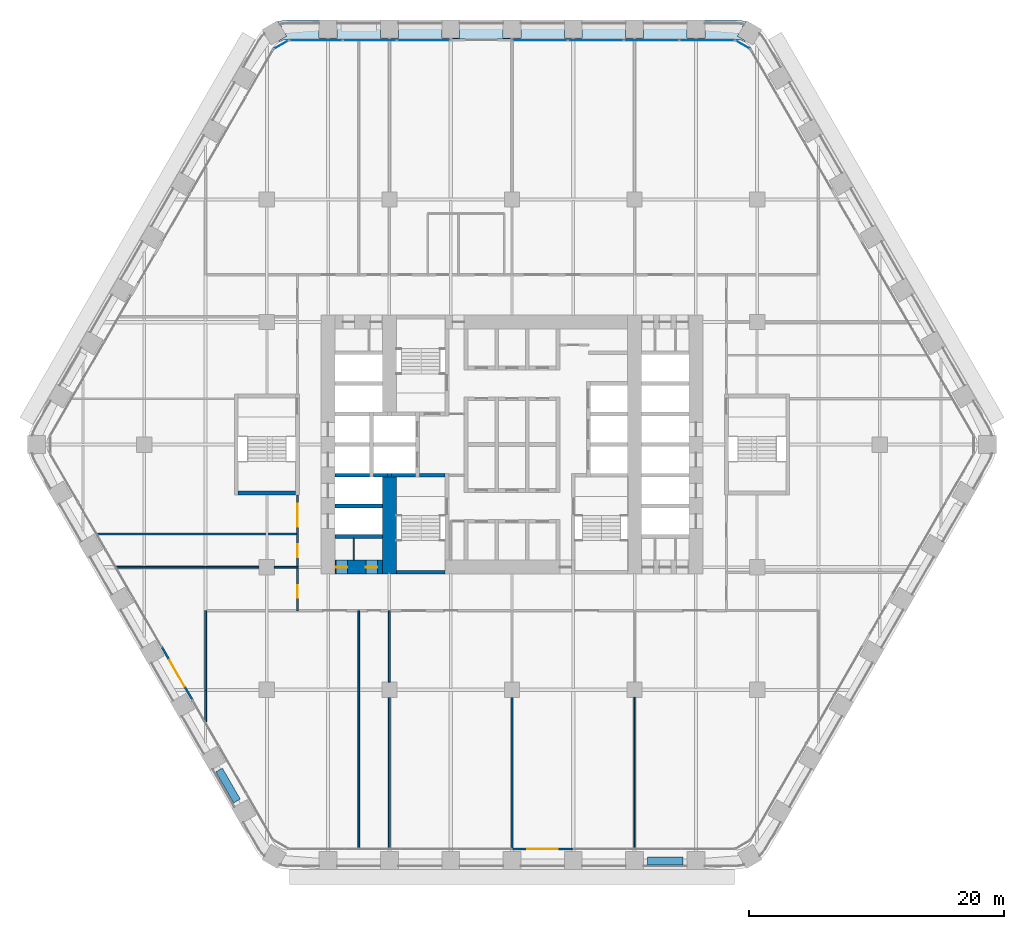
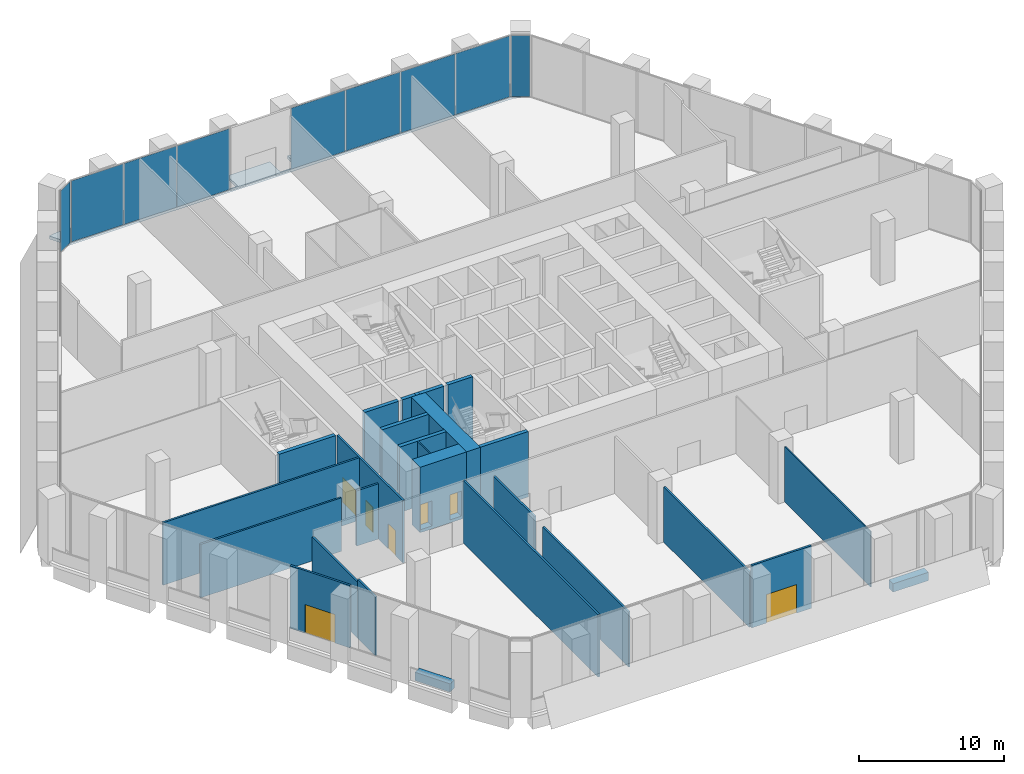
# One storey, part 17 of 27: 27 walls, 9 plates, 7 doors, 1 slab, 7 openings, 4 elements without a shape of their own.
"""IFC4 building model written with IfcOpenShell, lengths in metres."""

from ifc_helpers import new_model, si_unit, direction, frame, frame_2d, origin, origin_2d, place, context, subcontext, project, spatial, polyline, rectangle, outline, extrude, material, layer, layer_set, type_object, element, fill, aggregate, save


model = new_model("IFC4")

# Units and contexts
model_context = context("Model", 3, precision=1e-05, world=origin(), true_north=direction((0.0, 1.0)))
body_context = subcontext(model_context, "Body", "Model", "MODEL_VIEW")
ifc_project = project(units=[si_unit("LENGTHUNIT", "METRE"), si_unit("AREAUNIT", "SQUARE_METRE"), si_unit("VOLUMEUNIT", "CUBIC_METRE"), si_unit("PLANEANGLEUNIT", "RADIAN"), si_unit("MASSUNIT", "GRAM", prefix="KILO")], contexts=[model_context])

# Site, building, storey
site_placement = place(None, origin())
site = spatial("IfcSite", under=ifc_project, at=site_placement, CompositionType="ELEMENT")
building_placement = place(site_placement, origin())
building = spatial("IfcBuilding", under=site, at=building_placement, Name="Kolab Exchange Tower", CompositionType="ELEMENT")
storey_placement = place(building_placement, frame((0.0, 0.0, 49.89990234375)))
storey = spatial("IfcBuildingStorey", under=building, at=storey_placement, Name="L09", CompositionType="ELEMENT", Elevation=49.89990234375)

# Slab
ifc_material_1 = material(Name="Concrete C35/45", Category="concrete")
ifc_layer_1 = layer(ifc_material_1, 0.25)
ifc_layer_set_1 = layer_set([ifc_layer_1], Name="Concrete C35/45")
slab_type = type_object("IfcSlabType", Name="LOGGIA SLAB 250", PredefinedType="FLOOR", material=ifc_layer_set_1)
slab_placement = place(storey_placement, frame((0.0, 0.0, -0.25)))
element("IfcSlab", 1, at=slab_placement, inside=storey, type_object=slab_type, Name="slab/L09/loggia/0-0", PredefinedType="FLOOR", context=body_context, shape_type="SweptSolid", body=[
    extrude(outline(polyline([(18.218017578125, 31.554443359375), (18.26806640625, 31.64111328125), (17.66162109375, 31.990966796875), (18.31494140625, 33.122314453125), (17.989013671875, 33.209716796875), (17.468017578125, 33.25537109375), (15.10009765625, 33.25537109375), (15.10009765625, 31.85546875), (13.699951171875, 31.85546875), (13.699951171875, 33.25537109375), (10.300048828125, 33.25537109375), (10.300048828125, 31.85546875), (8.89990234375, 31.85546875), (8.89990234375, 33.25537109375), (5.5, 33.25537109375), (5.5, 31.85546875), (4.10009765625, 31.85546875), (4.10009765625, 33.25537109375), (0.699951171875, 33.25537109375), (0.699951171875, 31.85546875), (-0.699951171875, 31.85546875), (-0.699951171875, 33.25537109375), (-4.10009765625, 33.25537109375), (-4.10009765625, 31.85546875), (-5.5, 31.85546875), (-5.5, 33.25537109375), (-8.89990234375, 33.25537109375), (-8.89990234375, 31.85546875), (-10.300048828125, 31.85546875), (-10.300048828125, 33.25537109375), (-13.699951171875, 33.25537109375), (-13.699951171875, 31.85546875), (-15.10009765625, 31.85546875), (-15.10009765625, 33.25537109375), (-17.468017578125, 33.25537109375), (-17.989013671875, 33.209716796875), (-18.31494140625, 33.122314453125), (-17.66162109375, 31.990966796875), (-18.26806640625, 31.64111328125), (-18.218017578125, 31.554443359375), (-17.98095703125, 31.664794921875), (-17.728515625, 31.732666015625), (-17.468017578125, 31.75537109375), (17.468017578125, 31.75537109375), (17.728515625, 31.732666015625), (17.98095703125, 31.664794921875), (18.218017578125, 31.554443359375)])), origin(), (0.0, 0.0, 1.0), 0.25),
])

# Curtain wall, plates
ifc_material_2 = material(Name="Aluminium EN AW-6063 T6", Category="aluminium")
curtain_wall_type = type_object("IfcCurtainWallType", Name="UNITISED LOW ZONE CURTAIN WALL", PredefinedType="NOTDEFINED", material=ifc_material_2)
curtain_wall_1_placement = place(storey_placement, origin())
curtain_wall_1 = element("IfcCurtainWall", 2, at=curtain_wall_1_placement, inside=storey, type_object=curtain_wall_type, Name="cw/L09/F1-1", PredefinedType="NOTDEFINED")
ifc_material_3 = material(Name="Clear insulated glazing unit", Category="glass")
ifc_layer_2 = layer(ifc_material_3, 0.02392578125)
ifc_layer_set_2 = layer_set([ifc_layer_2], Name="Clear insulated glazing unit")
plate_type = type_object("IfcPlateType", Name="UNITISED LOW ZONE GLASS PANEL 24", PredefinedType="CURTAIN_PANEL", material=ifc_layer_set_2)
plate_1_placement = place(storey_placement, frame((-15.341552734375, 31.67529296875, 0.06005859375), z_axis=(0.0, 0.0, 1.0), x_axis=(1.0, 0.0, 0.0)))
plate_1 = element("IfcPlate", 3, at=plate_1_placement, type_object=plate_type, Name="CW1 panel 1.1", PredefinedType="CURTAIN_PANEL", context=body_context, shape_type="SweptSolid", body=[
    extrude(rectangle(XDim=4.132568359375, YDim=0.02392578125, at=origin_2d()), origin(), (0.0, 0.0, 1.0), 5.1298828125),
])
plate_2_placement = place(storey_placement, frame((-11.134033203125, 31.67529296875, 0.06005859375), z_axis=(0.0, 0.0, 1.0), x_axis=(1.0, 0.0, 0.0)))
plate_2 = element("IfcPlate", 4, at=plate_2_placement, type_object=plate_type, Name="CW1 panel 2.1", PredefinedType="CURTAIN_PANEL", context=body_context, shape_type="SweptSolid", body=[
    extrude(rectangle(XDim=4.16259765625, YDim=0.02392578125, at=origin_2d()), origin(), (0.0, 0.0, 1.0), 5.1298828125),
])
plate_3_placement = place(storey_placement, frame((-6.92626953125, 31.67529296875, 0.06005859375), z_axis=(0.0, 0.0, 1.0), x_axis=(1.0, 0.0, 0.0)))
plate_3 = element("IfcPlate", 5, at=plate_3_placement, type_object=plate_type, Name="CW1 panel 3.1", PredefinedType="CURTAIN_PANEL", context=body_context, shape_type="SweptSolid", body=[
    extrude(rectangle(XDim=4.132568359375, YDim=0.02392578125, at=origin_2d()), origin(), (0.0, 0.0, 1.0), 5.1298828125),
])
aggregate(curtain_wall_1, [plate_1, plate_2, plate_3])

curtain_wall_2_placement = place(storey_placement, origin())
curtain_wall_2 = element("IfcCurtainWall", 6, at=curtain_wall_2_placement, inside=storey, type_object=curtain_wall_type, Name="cw/L09/F1-2", PredefinedType="NOTDEFINED")
plate_4_placement = place(storey_placement, frame((2.198486328125, 31.67529296875, 0.06005859375), z_axis=(0.0, 0.0, 1.0), x_axis=(1.0, 0.0, 0.0)))
plate_4 = element("IfcPlate", 7, at=plate_4_placement, type_object=plate_type, Name="CW1 panel 1.1", PredefinedType="CURTAIN_PANEL", context=body_context, shape_type="SweptSolid", body=[
    extrude(rectangle(XDim=4.277099609375, YDim=0.02392578125, at=origin_2d()), origin(), (0.0, 0.0, 1.0), 5.1298828125),
])
plate_5_placement = place(storey_placement, frame((6.550537109375, 31.67529296875, 0.06005859375), z_axis=(0.0, 0.0, 1.0), x_axis=(1.0, 0.0, 0.0)))
plate_5 = element("IfcPlate", 8, at=plate_5_placement, type_object=plate_type, Name="CW1 panel 2.1", PredefinedType="CURTAIN_PANEL", context=body_context, shape_type="SweptSolid", body=[
    extrude(rectangle(XDim=4.306884765625, YDim=0.02392578125, at=origin_2d()), origin(), (0.0, 0.0, 1.0), 5.1298828125),
])
plate_6_placement = place(storey_placement, frame((10.91748046875, 31.67529296875, 0.06005859375), z_axis=(0.0, 0.0, 1.0), x_axis=(1.0, 0.0, 0.0)))
plate_6 = element("IfcPlate", 9, at=plate_6_placement, type_object=plate_type, Name="CW1 panel 3.1", PredefinedType="CURTAIN_PANEL", context=body_context, shape_type="SweptSolid", body=[
    extrude(rectangle(XDim=4.306884765625, YDim=0.02392578125, at=origin_2d()), origin(), (0.0, 0.0, 1.0), 5.1298828125),
])
plate_7_placement = place(storey_placement, frame((15.26953125, 31.67529296875, 0.06005859375), z_axis=(0.0, 0.0, 1.0), x_axis=(1.0, 0.0, 0.0)))
plate_7 = element("IfcPlate", 10, at=plate_7_placement, type_object=plate_type, Name="CW1 panel 4.1", PredefinedType="CURTAIN_PANEL", context=body_context, shape_type="SweptSolid", body=[
    extrude(rectangle(XDim=4.277099609375, YDim=0.02392578125, at=origin_2d()), origin(), (0.0, 0.0, 1.0), 5.1298828125),
])
aggregate(curtain_wall_2, [plate_4, plate_5, plate_6, plate_7])

# Curtain wall, plate
curtain_wall_3_placement = place(storey_placement, origin())
curtain_wall_3 = element("IfcCurtainWall", 11, at=curtain_wall_3_placement, inside=storey, type_object=curtain_wall_type, Name="cw/L09/F1F2-corner", PredefinedType="NOTDEFINED")
plate_8_placement = place(storey_placement, frame((18.082763671875, 31.3203125, 0.06005859375), z_axis=(0.0, 0.0, 1.0), x_axis=(0.866025390869, -0.50000002237, 0.0)))
plate_8 = element("IfcPlate", 12, at=plate_8_placement, type_object=plate_type, Name="CW1 panel 1.1", PredefinedType="CURTAIN_PANEL", context=body_context, shape_type="SweptSolid", body=[
    extrude(rectangle(XDim=1.300048828125, YDim=0.02392578125, at=origin_2d()), origin(), (0.0, 0.0, 1.0), 5.1298828125),
])
aggregate(curtain_wall_3, [plate_8])

curtain_wall_4_placement = place(storey_placement, origin())
curtain_wall_4 = element("IfcCurtainWall", 13, at=curtain_wall_4_placement, inside=storey, type_object=curtain_wall_type, Name="cw/L09/F6F1-corner", PredefinedType="NOTDEFINED")
plate_9_placement = place(storey_placement, frame((-18.082763671875, 31.3203125, 0.06005859375), z_axis=(0.0, 0.0, 1.0), x_axis=(0.866025390869, 0.50000002237, 0.0)))
plate_9 = element("IfcPlate", 14, at=plate_9_placement, type_object=plate_type, Name="CW1 panel 1.1", PredefinedType="CURTAIN_PANEL", context=body_context, shape_type="SweptSolid", body=[
    extrude(rectangle(XDim=1.300048828125, YDim=0.02392578125, at=origin_2d()), origin(), (0.0, 0.0, 1.0), 5.1298828125),
])
aggregate(curtain_wall_4, [plate_9])

# Wall, openings, doors
ifc_material_4 = material(Name="Concrete C80/95", Category="concrete")
ifc_layer_3 = layer(ifc_material_4, 1.10009765625)
ifc_layer_set_3 = layer_set([ifc_layer_3], Name="Concrete C80/95")
wall_type_1 = type_object("IfcWallType", Name="CORE WALL 1100 C80/95", PredefinedType="SHEAR", material=ifc_layer_set_3)
wall_1_placement = place(storey_placement, frame((-13.85009765625, -9.60009765625, -0.25), z_axis=(0.0, 0.0, 1.0), x_axis=(1.0, 0.0, 0.0)))
wall_1 = element("IfcWall", 15, at=wall_1_placement, inside=storey, type_object=wall_type_1, Name="wall/L09/core/002", PredefinedType="SHEAR", context=body_context, shape_type="SweptSolid", body=[
    extrude(rectangle(XDim=3.7001953125, YDim=1.10009765625, at=frame_2d((1.85009765625, 0.0))), origin(), (0.0, 0.0, 1.0), 5.5),
])
opening_1_placement = place(wall_1_placement, frame((0.050048828125, 0.0, 0.25)))
opening_1 = element("IfcOpeningElement", 16, at=opening_1_placement, cuts=wall_1, Name="Opening D6-112", PredefinedType="OPENING", context=body_context, shape_type="SweptSolid", body=[
    extrude(rectangle(XDim=0.89990234375, YDim=2.10009765625, at=frame_2d((0.449951171875, 1.050048828125))), frame((0.0, 0.56005859375, 0.0), z_axis=(0.0, -1.0, 0.0), x_axis=(1.0, 0.0, 0.0)), (0.0, 0.0, 1.0), 1.1201171875),
])
opening_2_placement = place(wall_1_placement, frame((2.39990234375, 0.0, 0.25)))
opening_2 = element("IfcOpeningElement", 17, at=opening_2_placement, cuts=wall_1, Name="Opening D6-118", PredefinedType="OPENING", context=body_context, shape_type="SweptSolid", body=[
    extrude(rectangle(XDim=0.89990234375, YDim=2.10009765625, at=frame_2d((0.449951171875, 1.050048828125))), frame((0.0, 0.56005859375, 0.0), z_axis=(0.0, -1.0, 0.0), x_axis=(1.0, 0.0, 0.0)), (0.0, 0.0, 1.0), 1.1201171875),
])
ifc_material_5 = material(Name="Steel S235", Category="steel")
door_type_1 = type_object("IfcDoorType", Name="CORE DOOR 900 EI 120", OperationType="SINGLE_SWING_LEFT", PredefinedType="DOOR", material=ifc_material_5)
door_1_placement = place(opening_1_placement, origin())
door_1 = element("IfcDoor", 18, at=door_1_placement, inside=storey, type_object=door_type_1, Name="Service room door", OperationType="SINGLE_SWING_RIGHT", OverallHeight=2.10009765625, OverallWidth=0.89990234375, PredefinedType="DOOR", context=body_context, shape_type="SweptSolid", body=[
    extrude(rectangle(XDim=0.89990234375, YDim=2.10009765625, at=frame_2d((0.449951171875, 1.050048828125))), frame((0.0, 0.02490234375, 0.0), z_axis=(0.0, -1.0, 0.0), x_axis=(1.0, 0.0, 0.0)), (0.0, 0.0, 1.0), 0.050048828125),
])
fill(opening_1, door_1)
door_2_placement = place(opening_2_placement, origin())
door_2 = element("IfcDoor", 19, at=door_2_placement, inside=storey, type_object=door_type_1, Name="Service room door", OperationType="SINGLE_SWING_LEFT", OverallHeight=2.10009765625, OverallWidth=0.89990234375, PredefinedType="DOOR", context=body_context, shape_type="SweptSolid", body=[
    extrude(rectangle(XDim=0.89990234375, YDim=2.10009765625, at=frame_2d((0.449951171875, 1.050048828125))), frame((0.0, 0.02490234375, 0.0), z_axis=(0.0, -1.0, 0.0), x_axis=(1.0, 0.0, 0.0)), (0.0, 0.0, 1.0), 0.050048828125),
])
fill(opening_2, door_2)

# Wall
wall_2_placement = place(storey_placement, frame((-9.60009765625, -10.14990234375, -0.25), z_axis=(0.0, 0.0, 1.0), x_axis=(0.0, 1.0, 0.0)))
element("IfcWall", 20, at=wall_2_placement, inside=storey, type_object=wall_type_1, Name="wall/L09/core/059", PredefinedType="SHEAR", context=body_context, shape_type="SweptSolid", body=[
    extrude(rectangle(XDim=7.599853515625, YDim=1.10009765625, at=frame_2d((3.7998046875, 0.0))), origin(), (0.0, 0.0, 1.0), 5.5),
])

# Wall, opening, door
ifc_layer_4 = layer(ifc_material_2, 0.159912109375)
ifc_layer_set_4 = layer_set([ifc_layer_4], Name="Aluminium EN AW-6063 T6")
wall_type_2 = type_object("IfcWallType", Name="DOOR SURROUND WALL 160 ALUMINIUM FRAMED", PredefinedType="PARTITIONING", material=ifc_layer_set_4)
wall_3_placement = place(storey_placement, frame((4.77001953125, -31.67529296875, 0.0), z_axis=(0.0, 0.0, 1.0), x_axis=(-1.0, 0.0, 0.0)))
wall_3 = element("IfcWall", 21, at=wall_3_placement, inside=storey, type_object=wall_type_2, Name="Door surround wall", PredefinedType="PARTITIONING", context=body_context, shape_type="SweptSolid", body=[
    extrude(rectangle(XDim=4.739990234375, YDim=0.159912109375, at=frame_2d((2.3701171875, 0.0))), origin(), (0.0, 0.0, 1.0), 5.25),
])
opening_3_placement = place(wall_3_placement, frame((1.169921875, 0.0, 0.0)))
opening_3 = element("IfcOpeningElement", 22, at=opening_3_placement, cuts=wall_3, Name="Opening GD1-020", PredefinedType="OPENING", context=body_context, shape_type="SweptSolid", body=[
    extrude(rectangle(XDim=2.39990234375, YDim=2.39990234375, at=frame_2d((1.199951171875, 1.199951171875))), frame((0.0, 0.08984375, 0.0), z_axis=(0.0, -1.0, 0.0), x_axis=(1.0, 0.0, 0.0)), (0.0, 0.0, 1.0), 0.179931640625),
])
door_type_2 = type_object("IfcDoorType", Name="LOGGIA SLIDING GLASS DOOR 2400 X 2400", OperationType="DOUBLE_DOOR_SINGLE_SWING", PredefinedType="DOOR", material=ifc_material_2)
door_3_placement = place(opening_3_placement, origin())
door_3 = element("IfcDoor", 23, at=door_3_placement, inside=storey, type_object=door_type_2, Name="Loggia door", OperationType="DOUBLE_DOOR_SLIDING", OverallHeight=2.39990234375, OverallWidth=2.39990234375, PredefinedType="DOOR", context=body_context, shape_type="SweptSolid", body=[
    extrude(rectangle(XDim=2.39990234375, YDim=2.39990234375, at=frame_2d((1.199951171875, 1.199951171875))), frame((0.0, 0.02490234375, 0.0), z_axis=(0.0, -1.0, 0.0), x_axis=(1.0, 0.0, 0.0)), (0.0, 0.0, 1.0), 0.050048828125),
])
fill(opening_3, door_3)

wall_4_placement = place(storey_placement, frame((-25.046630859375, -19.96875, 0.0), z_axis=(0.0, 0.0, 1.0), x_axis=(-0.5000167099, 0.866015756104, 0.0)))
wall_4 = element("IfcWall", 24, at=wall_4_placement, inside=storey, type_object=wall_type_2, Name="Door surround wall", PredefinedType="PARTITIONING", context=body_context, shape_type="SweptSolid", body=[
    extrude(rectangle(XDim=4.739990234375, YDim=0.159912109375, at=frame_2d((2.3701171875, 0.0))), origin(), (0.0, 0.0, 1.0), 5.25),
])
opening_4_placement = place(wall_4_placement, frame((1.169921875, 0.0, 0.0)))
opening_4 = element("IfcOpeningElement", 25, at=opening_4_placement, cuts=wall_4, Name="Opening GD1-021", PredefinedType="OPENING", context=body_context, shape_type="SweptSolid", body=[
    extrude(rectangle(XDim=2.39990234375, YDim=2.39990234375, at=frame_2d((1.199951171875, 1.199951171875))), frame((0.0, 0.08984375, 0.0), z_axis=(0.0, -1.0, 0.0), x_axis=(1.0, 0.0, 0.0)), (0.0, 0.0, 1.0), 0.179931640625),
])
door_4_placement = place(opening_4_placement, origin())
door_4 = element("IfcDoor", 26, at=door_4_placement, inside=storey, type_object=door_type_2, Name="Loggia door", OperationType="DOUBLE_DOOR_SLIDING", OverallHeight=2.39990234375, OverallWidth=2.39990234375, PredefinedType="DOOR", context=body_context, shape_type="SweptSolid", body=[
    extrude(rectangle(XDim=2.39990234375, YDim=2.39990234375, at=frame_2d((1.199951171875, 1.199951171875))), frame((0.0, 0.02490234375, 0.0), z_axis=(0.0, -1.0, 0.0), x_axis=(1.0, 0.0, 0.0)), (0.0, 0.0, 1.0), 0.050048828125),
])
fill(opening_4, door_4)

# Walls
ifc_material_6 = material(Name="Concrete C50/60", Category="concrete")
ifc_layer_5 = layer(ifc_material_6, 0.300048828125)
ifc_layer_set_5 = layer_set([ifc_layer_5], Name="Concrete C50/60")
wall_type_3 = type_object("IfcWallType", Name="LIFT SHAFT WALL 300 C50/60", PredefinedType="STANDARD", material=ifc_layer_set_5)
for number, where, z_axis, x_axis, name in (
    (27, (-13.85009765625, -7.199951171875, -0.25), (0.0, 0.0, 1.0), (1.0, 0.0, 0.0), "wall/L09/core/005"),
    (28, (-13.85009765625, -4.800048828125, -0.25), (0.0, 0.0, 1.0), (1.0, 0.0, 0.0), "wall/L09/core/010"),
):
    element("IfcWall", number, at=place(storey_placement, frame(where, z_axis=z_axis, x_axis=x_axis)), inside=storey, type_object=wall_type_3, Name=name, PredefinedType="STANDARD", context=body_context, shape_type="SweptSolid", body=[
        extrude(rectangle(XDim=3.7001953125, YDim=0.300048828125, at=frame_2d((1.85009765625, 0.0))), origin(), (0.0, 0.0, 1.0), 5.5),
    ])
wall_5_placement = place(storey_placement, frame((-13.85009765625, -2.39990234375, -0.25), z_axis=(0.0, 0.0, 1.0), x_axis=(1.0, 0.0, 0.0)))
element("IfcWall", 29, at=wall_5_placement, inside=storey, type_object=wall_type_3, Name="wall/L09/core/017", PredefinedType="STANDARD", context=body_context, shape_type="SweptSolid", body=[
    extrude(rectangle(XDim=2.7001953125, YDim=0.300048828125, at=frame_2d((1.35009765625, 0.0))), origin(), (0.0, 0.0, 1.0), 5.5),
])
wall_6_placement = place(storey_placement, frame((-10.85009765625, -2.39990234375, -0.25), z_axis=(0.0, 0.0, 1.0), x_axis=(1.0, 0.0, 0.0)))
element("IfcWall", 30, at=wall_6_placement, inside=storey, type_object=wall_type_3, Name="wall/L09/core/018", PredefinedType="STANDARD", context=body_context, shape_type="SweptSolid", body=[
    extrude(rectangle(XDim=1.10009765625, YDim=0.300048828125, at=frame_2d((0.550048828125, 0.0))), origin(), (0.0, 0.0, 1.0), 5.5),
])
ifc_material_7 = material(Name="Gypsum board", Category="gypsum")
ifc_layer_6 = layer(ifc_material_7, 0.10009765625)
ifc_layer_set_6 = layer_set([ifc_layer_6], Name="Gypsum board")
wall_type_4 = type_object("IfcWallType", Name="PARTITION 100", PredefinedType="PARTITIONING", material=ifc_layer_set_6)
wall_7_placement = place(storey_placement, frame((9.60009765625, -31.58544921875, 0.0), z_axis=(0.0, 0.0, 1.0), x_axis=(0.0, 1.0, 0.0)))
element("IfcWall", 31, at=wall_7_placement, inside=storey, type_object=wall_type_4, Name="Partition 008", PredefinedType="PARTITIONING", context=body_context, shape_type="SweptSolid", body=[
    extrude(rectangle(XDim=11.785400390625, YDim=0.10009765625, at=frame_2d((5.892578125, 0.0))), origin(), (0.0, 0.0, 1.0), 4.64208984375),
])
wall_8_placement = place(storey_placement, frame((-12.39990234375, -9.050048828125, 0.0), z_axis=(0.0, 0.0, 1.0), x_axis=(0.0, 1.0, 0.0)))
element("IfcWall", 32, at=wall_8_placement, inside=storey, type_object=wall_type_4, Name="Partition 027", PredefinedType="PARTITIONING", context=body_context, shape_type="SweptSolid", body=[
    extrude(rectangle(XDim=1.699951171875, YDim=0.10009765625, at=frame_2d((0.85009765625, 0.0))), origin(), (0.0, 0.0, 1.0), 5.25),
])
ifc_layer_7 = layer(ifc_material_7, 0.14990234375)
ifc_layer_set_7 = layer_set([ifc_layer_7], Name="Gypsum board")
wall_type_5 = type_object("IfcWallType", Name="PARTITION 150 FIRE-RATED", PredefinedType="PARTITIONING", material=ifc_layer_set_7)
wall_9_placement = place(storey_placement, frame((0.0, -31.595458984375, 0.0), z_axis=(0.0, 0.0, 1.0), x_axis=(0.0, 1.0, 0.0)))
element("IfcWall", 33, at=wall_9_placement, inside=storey, type_object=wall_type_5, Name="Partition 012", PredefinedType="PARTITIONING", context=body_context, shape_type="SweptSolid", body=[
    extrude(rectangle(XDim=11.79541015625, YDim=0.14990234375, at=frame_2d((5.897705078125, 0.0))), origin(), (0.0, 0.0, 1.0), 4.64208984375),
])
wall_10_placement = place(storey_placement, frame((-9.60009765625, -31.58544921875, 0.0), z_axis=(0.0, 0.0, 1.0), x_axis=(0.0, 1.0, 0.0)))
element("IfcWall", 34, at=wall_10_placement, inside=storey, type_object=wall_type_5, Name="Partition 020", PredefinedType="PARTITIONING", context=body_context, shape_type="SweptSolid", body=[
    extrude(rectangle(XDim=11.785400390625, YDim=0.14990234375, at=frame_2d((5.892578125, 0.0))), origin(), (0.0, 0.0, 1.0), 4.64208984375),
])
wall_11_placement = place(storey_placement, frame((-9.60009765625, -18.60009765625, 0.0), z_axis=(0.0, 0.0, 1.0), x_axis=(0.0, 1.0, 0.0)))
element("IfcWall", 35, at=wall_11_placement, inside=storey, type_object=wall_type_5, Name="Partition 021", PredefinedType="PARTITIONING", context=body_context, shape_type="SweptSolid", body=[
    extrude(rectangle(XDim=5.60009765625, YDim=0.14990234375, at=frame_2d((2.800048828125, 0.0))), origin(), (0.0, 0.0, 1.0), 4.793212890625),
])
wall_12_placement = place(storey_placement, frame((-12.0, -31.58544921875, 0.0), z_axis=(0.0, 0.0, 1.0), x_axis=(0.0, 1.0, 0.0)))
element("IfcWall", 36, at=wall_12_placement, inside=storey, type_object=wall_type_5, Name="Partition 025", PredefinedType="PARTITIONING", context=body_context, shape_type="SweptSolid", body=[
    extrude(rectangle(XDim=18.58544921875, YDim=0.14990234375, at=frame_2d((9.292724609375, 0.0))), origin(), (0.0, 0.0, 1.0), 5.25),
])

# Wall, openings, doors
wall_13_placement = place(storey_placement, frame((-16.800048828125, -13.0, 0.0), z_axis=(0.0, 0.0, 1.0), x_axis=(0.0, 1.0, 0.0)))
wall_13 = element("IfcWall", 37, at=wall_13_placement, inside=storey, type_object=wall_type_5, Name="Partition 028", PredefinedType="PARTITIONING", context=body_context, shape_type="SweptSolid", body=[
    extrude(rectangle(XDim=9.050048828125, YDim=0.14990234375, at=frame_2d((4.52490234375, 0.0))), origin(), (0.0, 0.0, 1.0), 5.25),
])
opening_5_placement = place(wall_13_placement, frame((1.0, 0.0, 0.0)))
opening_5 = element("IfcOpeningElement", 38, at=opening_5_placement, cuts=wall_13, Name="Opening D1-120", PredefinedType="OPENING", context=body_context, shape_type="SweptSolid", body=[
    extrude(rectangle(XDim=1.0, YDim=2.10009765625, at=frame_2d((0.5, 1.050048828125))), frame((0.0, 0.0849609375, 0.0), z_axis=(0.0, -1.0, 0.0), x_axis=(1.0, 0.0, 0.0)), (0.0, 0.0, 1.0), 0.169921875),
])
opening_6_placement = place(wall_13_placement, frame((4.199951171875, 0.0, 0.0)))
opening_6 = element("IfcOpeningElement", 39, at=opening_6_placement, cuts=wall_13, Name="Opening D1-121", PredefinedType="OPENING", context=body_context, shape_type="SweptSolid", body=[
    extrude(rectangle(XDim=1.0, YDim=2.10009765625, at=frame_2d((0.5, 1.050048828125))), frame((0.0, 0.0849609375, 0.0), z_axis=(0.0, -1.0, 0.0), x_axis=(1.0, 0.0, 0.0)), (0.0, 0.0, 1.0), 0.169921875),
])
opening_7_placement = place(wall_13_placement, frame((6.574951171875, 0.0, 0.0)))
opening_7 = element("IfcOpeningElement", 40, at=opening_7_placement, cuts=wall_13, Name="Opening D2-026", PredefinedType="OPENING", context=body_context, shape_type="SweptSolid", body=[
    extrude(rectangle(XDim=1.800048828125, YDim=2.10009765625, at=frame_2d((0.89990234375, 1.050048828125))), frame((0.0, 0.0849609375, 0.0), z_axis=(0.0, -1.0, 0.0), x_axis=(1.0, 0.0, 0.0)), (0.0, 0.0, 1.0), 0.169921875),
])
door_type_3 = type_object("IfcDoorType", Name="DOUBLE DOOR 1800 FD60", OperationType="DOUBLE_DOOR_SINGLE_SWING", PredefinedType="DOOR", material=ifc_material_5)
door_5_placement = place(opening_7_placement, origin())
door_5 = element("IfcDoor", 41, at=door_5_placement, inside=storey, type_object=door_type_3, Name="Door L09-068", OperationType="SINGLE_SWING_LEFT", OverallHeight=2.10009765625, OverallWidth=1.800048828125, PredefinedType="DOOR", context=body_context, shape_type="SweptSolid", body=[
    extrude(rectangle(XDim=1.800048828125, YDim=2.10009765625, at=frame_2d((0.89990234375, 1.050048828125))), frame((0.0, 0.02490234375, 0.0), z_axis=(0.0, -1.0, 0.0), x_axis=(1.0, 0.0, 0.0)), (0.0, 0.0, 1.0), 0.050048828125),
])
fill(opening_7, door_5)
door_type_4 = type_object("IfcDoorType", Name="FLUSH DOOR 1000 FD60", OperationType="SINGLE_SWING_LEFT", PredefinedType="DOOR", material=ifc_material_5)
door_6_placement = place(opening_5_placement, origin())
door_6 = element("IfcDoor", 42, at=door_6_placement, inside=storey, type_object=door_type_4, Name="Door L09-066", OperationType="SINGLE_SWING_LEFT", OverallHeight=2.10009765625, OverallWidth=1.0, PredefinedType="DOOR", context=body_context, shape_type="SweptSolid", body=[
    extrude(rectangle(XDim=1.0, YDim=2.10009765625, at=frame_2d((0.5, 1.050048828125))), frame((0.0, 0.02490234375, 0.0), z_axis=(0.0, -1.0, 0.0), x_axis=(1.0, 0.0, 0.0)), (0.0, 0.0, 1.0), 0.050048828125),
])
fill(opening_5, door_6)
door_7_placement = place(opening_6_placement, origin())
door_7 = element("IfcDoor", 43, at=door_7_placement, inside=storey, type_object=door_type_4, Name="Door L09-067", OperationType="SINGLE_SWING_LEFT", OverallHeight=2.10009765625, OverallWidth=1.0, PredefinedType="DOOR", context=body_context, shape_type="SweptSolid", body=[
    extrude(rectangle(XDim=1.0, YDim=2.10009765625, at=frame_2d((0.5, 1.050048828125))), frame((0.0, 0.02490234375, 0.0), z_axis=(0.0, -1.0, 0.0), x_axis=(1.0, 0.0, 0.0)), (0.0, 0.0, 1.0), 0.050048828125),
])
fill(opening_6, door_7)

# Walls
wall_14_placement = place(storey_placement, frame((-24.0, -19.27392578125, 0.0), z_axis=(0.0, 0.0, 1.0), x_axis=(0.0, 1.0, 0.0)))
element("IfcWall", 44, at=wall_14_placement, inside=storey, type_object=wall_type_5, Name="Partition 030", PredefinedType="PARTITIONING", context=body_context, shape_type="SweptSolid", body=[
    extrude(rectangle(XDim=6.27392578125, YDim=0.14990234375, at=frame_2d((3.136962890625, 0.0))), origin(), (0.0, 0.0, 1.0), 4.717041015625),
])
wall_15_placement = place(storey_placement, frame((-24.0, -21.701416015625, 0.0), z_axis=(0.0, 0.0, 1.0), x_axis=(0.0, 1.0, 0.0)))
element("IfcWall", 45, at=wall_15_placement, inside=storey, type_object=wall_type_5, Name="Partition 030", PredefinedType="PARTITIONING", context=body_context, shape_type="SweptSolid", body=[
    extrude(rectangle(XDim=2.427490234375, YDim=0.14990234375, at=frame_2d((1.2138671875, 0.0))), origin(), (0.0, 0.0, 1.0), 4.940185546875),
])
wall_16_placement = place(storey_placement, frame((-30.98681640625, -9.60009765625, 0.0), z_axis=(0.0, 0.0, 1.0), x_axis=(1.0, 0.0, 0.0)))
element("IfcWall", 46, at=wall_16_placement, inside=storey, type_object=wall_type_5, Name="Partition 036", PredefinedType="PARTITIONING", context=body_context, shape_type="SweptSolid", body=[
    extrude(rectangle(XDim=11.186767578125, YDim=0.14990234375, at=frame_2d((5.59326171875, 0.0))), origin(), (0.0, 0.0, 1.0), 4.488037109375),
])
wall_17_placement = place(storey_placement, frame((-18.60009765625, -9.60009765625, 0.0), z_axis=(0.0, 0.0, 1.0), x_axis=(1.0, 0.0, 0.0)))
element("IfcWall", 47, at=wall_17_placement, inside=storey, type_object=wall_type_5, Name="Partition 037", PredefinedType="PARTITIONING", context=body_context, shape_type="SweptSolid", body=[
    extrude(rectangle(XDim=1.800048828125, YDim=0.14990234375, at=frame_2d((0.89990234375, 0.0))), origin(), (0.0, 0.0, 1.0), 4.64208984375),
])
wall_18_placement = place(storey_placement, frame((-32.48779296875, -7.0, 0.0), z_axis=(0.0, 0.0, 1.0), x_axis=(1.0, 0.0, 0.0)))
element("IfcWall", 48, at=wall_18_placement, inside=storey, type_object=wall_type_5, Name="Partition 038", PredefinedType="PARTITIONING", context=body_context, shape_type="SweptSolid", body=[
    extrude(rectangle(XDim=15.687744140625, YDim=0.14990234375, at=frame_2d((7.84375, 0.0))), origin(), (0.0, 0.0, 1.0), 5.25),
])
ifc_material_8 = material(Name="Granite facing", Category="masonry")
ifc_layer_8 = layer(ifc_material_8, 0.0400390625)
ifc_material_9 = material(Name="Concrete C40/50 precast", Category="concrete")
ifc_layer_9 = layer(ifc_material_9, 0.56005859375)
ifc_layer_set_8 = layer_set([ifc_layer_8, ifc_layer_9], Name="Concrete C40/50 precast")
wall_type_6 = type_object("IfcWallType", Name="PLANTER BOX 600 X 700 SOIL DEPTH 550", PredefinedType="USERDEFINED", material=ifc_layer_set_8)
for number, where, z_axis, x_axis, name in (
    (49, (13.39990234375, -32.60546875, 0.0), (0.0, 0.0, 1.0), (-1.0, 0.0, 0.0), "Planter"),
    (50, (-21.537109375, -27.907470703125, 0.0), (0.0, 0.0, 1.0), (-0.49998411664, 0.866034573852, 0.0), "Planter"),
):
    element("IfcWall", number, at=place(storey_placement, frame(where, z_axis=z_axis, x_axis=x_axis)), inside=storey, type_object=wall_type_6, Name=name, ObjectType="PLANTER", PredefinedType="USERDEFINED", context=body_context, shape_type="SweptSolid", body=[
        extrude(rectangle(XDim=2.7998046875, YDim=0.60009765625, at=frame_2d((1.39990234375, 0.0))), origin(), (0.0, 0.0, 1.0), 0.7001953125),
    ])
ifc_layer_10 = layer(ifc_material_6, 0.300048828125)
ifc_layer_set_9 = layer_set([ifc_layer_10], Name="Concrete C50/60")
wall_type_7 = type_object("IfcWallType", Name="STAIR ENCLOSURE WALL 300 C50/60", PredefinedType="STANDARD", material=ifc_layer_set_9)
wall_19_placement = place(storey_placement, frame((-9.050048828125, -10.0, -0.25), z_axis=(0.0, 0.0, 1.0), x_axis=(1.0, 0.0, 0.0)))
element("IfcWall", 51, at=wall_19_placement, inside=storey, type_object=wall_type_7, Name="wall/L09/core/000", PredefinedType="STANDARD", context=body_context, shape_type="SweptSolid", body=[
    extrude(rectangle(XDim=3.800048828125, YDim=0.300048828125, at=frame_2d((1.89990234375, 0.0))), origin(), (0.0, 0.0, 1.0), 5.5),
])
wall_20_placement = place(storey_placement, frame((-21.449951171875, -3.800048828125, -0.25), z_axis=(0.0, 0.0, 1.0), x_axis=(1.0, 0.0, 0.0)))
element("IfcWall", 52, at=wall_20_placement, inside=storey, type_object=wall_type_7, Name="wall/L09/core/012", PredefinedType="STANDARD", context=body_context, shape_type="SweptSolid", body=[
    extrude(rectangle(XDim=4.5, YDim=0.300048828125, at=frame_2d((2.25, 0.0))), origin(), (0.0, 0.0, 1.0), 5.5),
])
wall_21_placement = place(storey_placement, frame((-9.449951171875, -2.39990234375, -0.25), z_axis=(0.0, 0.0, 1.0), x_axis=(1.0, 0.0, 0.0)))
element("IfcWall", 53, at=wall_21_placement, inside=storey, type_object=wall_type_7, Name="wall/L09/core/019", PredefinedType="STANDARD", context=body_context, shape_type="SweptSolid", body=[
    extrude(rectangle(XDim=1.89990234375, YDim=0.300048828125, at=frame_2d((0.949951171875, 0.0))), origin(), (0.0, 0.0, 1.0), 5.5),
])
wall_22_placement = place(storey_placement, frame((-7.25, -2.39990234375, -0.25), z_axis=(0.0, 0.0, 1.0), x_axis=(1.0, 0.0, 0.0)))
element("IfcWall", 54, at=wall_22_placement, inside=storey, type_object=wall_type_7, Name="wall/L09/core/020", PredefinedType="STANDARD", context=body_context, shape_type="SweptSolid", body=[
    extrude(rectangle(XDim=2.0, YDim=0.300048828125, at=frame_2d((1.0, 0.0))), origin(), (0.0, 0.0, 1.0), 5.5),
])
wall_23_placement = place(storey_placement, frame((-9.60009765625, -2.550048828125, -0.25), z_axis=(0.0, 0.0, 1.0), x_axis=(0.0, 1.0, 0.0)))
element("IfcWall", 55, at=wall_23_placement, inside=storey, type_object=wall_type_7, Name="wall/L09/core/060", PredefinedType="STANDARD", context=body_context, shape_type="SweptSolid", body=[
    extrude(rectangle(XDim=0.300048828125, YDim=0.300048828125, at=frame_2d((0.14990234375, 0.0))), origin(), (0.0, 0.0, 1.0), 5.5),
])

save(model, "model.ifc")
